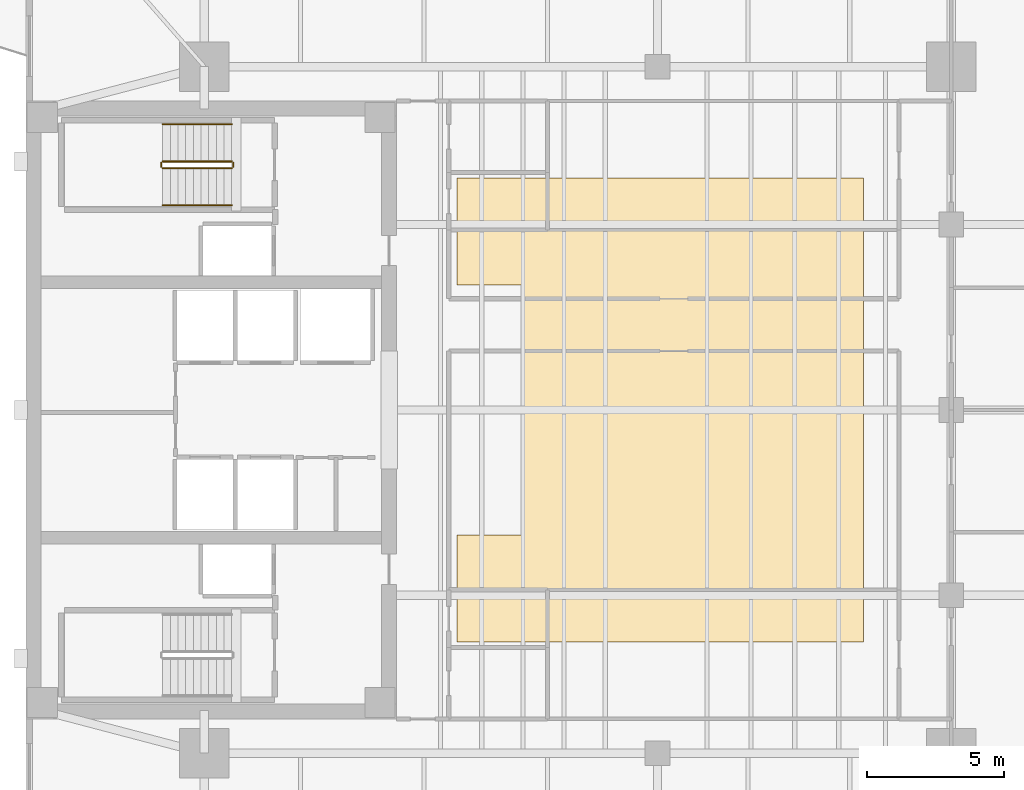
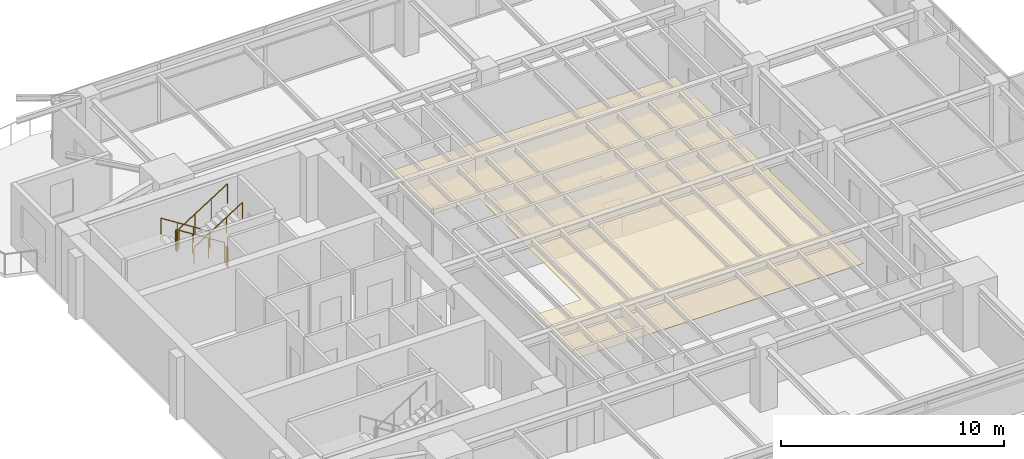
# One storey, part 13 of 14: 6 railings, 1 covering.
"""IFC4 building model written with IfcOpenShell, lengths in metres."""

from ifc_helpers import new_model, si_unit, direction, frame, origin, origin_2d, place, context, subcontext, project, spatial, polyline, circle, outline, extrude, material, layer, layer_set, type_object, element, save


model = new_model("IFC4")

# Units and contexts
model_context = context("Model", 3, precision=1e-05, world=origin(), true_north=direction((0.0, 1.0)))
body_context = subcontext(model_context, "Body", "Model", "MODEL_VIEW")
ifc_project = project(units=[si_unit("LENGTHUNIT", "METRE"), si_unit("AREAUNIT", "SQUARE_METRE"), si_unit("VOLUMEUNIT", "CUBIC_METRE"), si_unit("PLANEANGLEUNIT", "RADIAN"), si_unit("MASSUNIT", "GRAM", prefix="KILO")], contexts=[model_context])

# Site, building, storey
site_placement = place(None, origin())
site = spatial("IfcSite", under=ifc_project, at=site_placement, CompositionType="ELEMENT")
building_placement = place(site_placement, origin())
building = spatial("IfcBuilding", under=site, at=building_placement, Name="Kinhvarn Gate Tower", CompositionType="ELEMENT")
storey_placement = place(building_placement, frame((0.0, 0.0, 202.25)))
storey = spatial("IfcBuildingStorey", under=building, at=storey_placement, Name="L53", CompositionType="ELEMENT", Elevation=202.25)

# Covering
ifc_material_1 = material(Name="Mineral-fibre acoustic ceiling tile")
ifc_layer = layer(ifc_material_1, 0.02001953125)
ifc_layer_set = layer_set([ifc_layer], Name="Mineral-fibre acoustic ceiling tile")
covering_type = type_object("IfcCoveringType", Name="COV-CEIL-20", PredefinedType="CEILING", material=ifc_layer_set)
covering_placement = place(storey_placement, frame((0.0, 0.0, 2.64990234375)))
element("IfcCovering", 1, at=covering_placement, inside=storey, type_object=covering_type, Name="Suspended Acoustic Ceiling Tile (L53-1)", PredefinedType="CEILING", context=body_context, shape_type="SweptSolid", body=[
    extrude(outline(polyline([(35.0, 33.699951171875), (35.0, 16.800048828125), (20.199951171875, 16.800048828125), (20.199951171875, 20.699951171875), (22.60009765625, 20.699951171875), (22.60009765625, 29.800048828125), (20.199951171875, 29.800048828125), (20.199951171875, 33.699951171875), (35.0, 33.699951171875)])), origin(), (0.0, 0.0, 1.0), 0.02001953125),
])

# Railings
ifc_material_2 = material(Name="Steel S355", Category="steel")
railing_type_1 = type_object("IfcRailingType", Name="RL-ST-GRD", PredefinedType="BALUSTRADE", material=ifc_material_2)
railing_1_placement = place(storey_placement, frame((12.0, 34.300048828125, 0.177490234375)))
element("IfcRailing", 2, at=railing_1_placement, inside=storey, type_object=railing_type_1, Name="L53 ST2 stair guard 1", PredefinedType="BALUSTRADE", context=body_context, shape_type="SweptSolid", body=[
    extrude(circle(Radius=0.02392578125, at=origin_2d()), frame((0.0, 0.0, 1.076171875), z_axis=(-0.84460694969, 0.0, 0.535386869969), x_axis=(0.0, -1.0, 0.0)), (0.0, 0.0, 1.0), 2.983642578125),
    extrude(circle(Radius=0.02099609375, at=origin_2d()), origin(), (0.0, 0.0, 1.0), 1.052001953125),
    extrude(circle(Radius=0.02099609375, at=origin_2d()), frame((-0.840087890625, 0.0, 0.532470703125)), (0.0, 0.0, 1.0), 1.052001953125),
    extrude(circle(Radius=0.02099609375, at=origin_2d()), frame((-1.679931640625, 0.0, 1.06494140625)), (0.0, 0.0, 1.0), 1.052001953125),
    extrude(circle(Radius=0.02099609375, at=origin_2d()), frame((-2.52001953125, 0.0, 1.597412109375)), (0.0, 0.0, 1.0), 1.052001953125),
])
railing_2_placement = place(storey_placement, frame((9.429931640625, 34.25, 1.77490234375)))
element("IfcRailing", 3, at=railing_2_placement, inside=storey, type_object=railing_type_1, Name="L53 ST2 stair guard 2", PredefinedType="BALUSTRADE", context=body_context, shape_type="SweptSolid", body=[
    extrude(circle(Radius=0.02392578125, at=origin_2d()), frame((0.0, 0.0, 1.076171875), z_axis=(0.0, -1.0, 0.0), x_axis=(1.0, 0.0, 0.0)), (0.0, 0.0, 1.0), 0.14990234375),
    extrude(circle(Radius=0.02099609375, at=origin_2d()), origin(), (0.0, 0.0, 1.0), 1.052001953125),
    extrude(circle(Radius=0.02099609375, at=origin_2d()), frame((0.0, -0.14990234375, 0.0)), (0.0, 0.0, 1.0), 1.052001953125),
])
railing_3_placement = place(storey_placement, frame((9.47998046875, 34.050048828125, 1.952392578125)))
element("IfcRailing", 4, at=railing_3_placement, inside=storey, type_object=railing_type_1, Name="L53 ST2 stair guard 3", PredefinedType="BALUSTRADE", context=body_context, shape_type="SweptSolid", body=[
    extrude(circle(Radius=0.02392578125, at=origin_2d()), frame((0.0, 0.0, 1.076171875), z_axis=(0.84456994832, 0.0, 0.535445237532), x_axis=(0.0, 1.0, 0.0)), (0.0, 0.0, 1.0), 2.98388671875),
    extrude(circle(Radius=0.02099609375, at=origin_2d()), origin(), (0.0, 0.0, 1.0), 1.052001953125),
    extrude(circle(Radius=0.02099609375, at=origin_2d()), frame((0.840087890625, 0.0, 0.532470703125)), (0.0, 0.0, 1.0), 1.052001953125),
    extrude(circle(Radius=0.02099609375, at=origin_2d()), frame((1.679931640625, 0.0, 1.065185546875)), (0.0, 0.0, 1.0), 1.052001953125),
    extrude(circle(Radius=0.02099609375, at=origin_2d()), frame((2.52001953125, 0.0, 1.59765625)), (0.0, 0.0, 1.0), 1.052001953125),
])
railing_4_placement = place(storey_placement, frame((12.050048828125, 34.25, 0.0)))
element("IfcRailing", 5, at=railing_4_placement, inside=storey, type_object=railing_type_1, Name="L53 ST2 stair guard 4", PredefinedType="BALUSTRADE", context=body_context, shape_type="SweptSolid", body=[
    extrude(circle(Radius=0.02392578125, at=origin_2d()), frame((0.0, 0.0, 1.076171875), z_axis=(0.0, -1.0, 0.0), x_axis=(1.0, 0.0, 0.0)), (0.0, 0.0, 1.0), 0.14990234375),
    extrude(circle(Radius=0.02099609375, at=origin_2d()), origin(), (0.0, 0.0, 1.0), 1.052001953125),
    extrude(circle(Radius=0.02099609375, at=origin_2d()), frame((0.0, -0.14990234375, 0.0)), (0.0, 0.0, 1.0), 1.052001953125),
])
railing_type_2 = type_object("IfcRailingType", Name="RL-ST-HND", PredefinedType="HANDRAIL", material=ifc_material_2)
railing_5_placement = place(storey_placement, frame((12.0, 35.64990234375, 0.177490234375)))
element("IfcRailing", 6, at=railing_5_placement, inside=storey, type_object=railing_type_2, Name="L53 ST2 stair handrail 1", PredefinedType="HANDRAIL", context=body_context, shape_type="SweptSolid", body=[
    extrude(circle(Radius=0.02392578125, at=origin_2d()), frame((0.0, 0.0, 0.8759765625), z_axis=(-0.84460694969, 0.0, 0.535386869969), x_axis=(0.0, -1.0, 0.0)), (0.0, 0.0, 1.0), 2.983642578125),
    extrude(circle(Radius=0.02099609375, at=origin_2d()), origin(), (0.0, 0.0, 1.0), 0.851806640625),
    extrude(circle(Radius=0.02099609375, at=origin_2d()), frame((-0.840087890625, 0.0, 0.532470703125)), (0.0, 0.0, 1.0), 0.851806640625),
    extrude(circle(Radius=0.02099609375, at=origin_2d()), frame((-1.679931640625, 0.0, 1.06494140625)), (0.0, 0.0, 1.0), 0.851806640625),
    extrude(circle(Radius=0.02099609375, at=origin_2d()), frame((-2.52001953125, 0.0, 1.597412109375)), (0.0, 0.0, 1.0), 0.851806640625),
])
railing_6_placement = place(storey_placement, frame((9.47998046875, 32.699951171875, 1.952392578125)))
element("IfcRailing", 7, at=railing_6_placement, inside=storey, type_object=railing_type_2, Name="L53 ST2 stair handrail 2", PredefinedType="HANDRAIL", context=body_context, shape_type="SweptSolid", body=[
    extrude(circle(Radius=0.02392578125, at=origin_2d()), frame((0.0, 0.0, 0.8759765625), z_axis=(0.84456994832, 0.0, 0.535445237532), x_axis=(0.0, 1.0, 0.0)), (0.0, 0.0, 1.0), 2.98388671875),
    extrude(circle(Radius=0.02099609375, at=origin_2d()), origin(), (0.0, 0.0, 1.0), 0.851806640625),
    extrude(circle(Radius=0.02099609375, at=origin_2d()), frame((0.840087890625, 0.0, 0.532470703125)), (0.0, 0.0, 1.0), 0.851806640625),
    extrude(circle(Radius=0.02099609375, at=origin_2d()), frame((1.679931640625, 0.0, 1.065185546875)), (0.0, 0.0, 1.0), 0.851806640625),
    extrude(circle(Radius=0.02099609375, at=origin_2d()), frame((2.52001953125, 0.0, 1.59765625)), (0.0, 0.0, 1.0), 0.851806640625),
])

save(model, "model.ifc")
